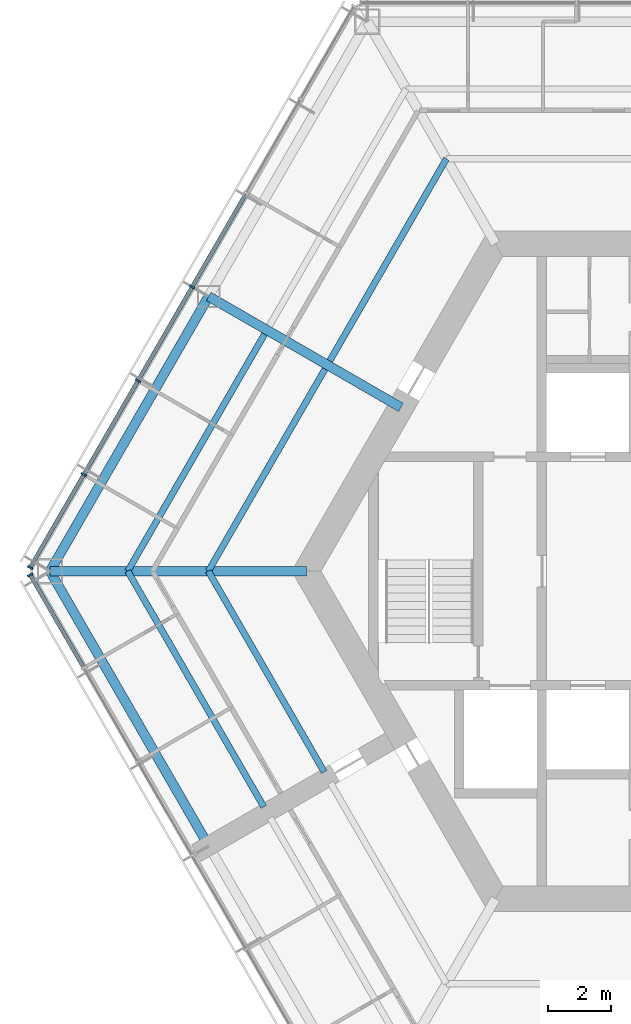
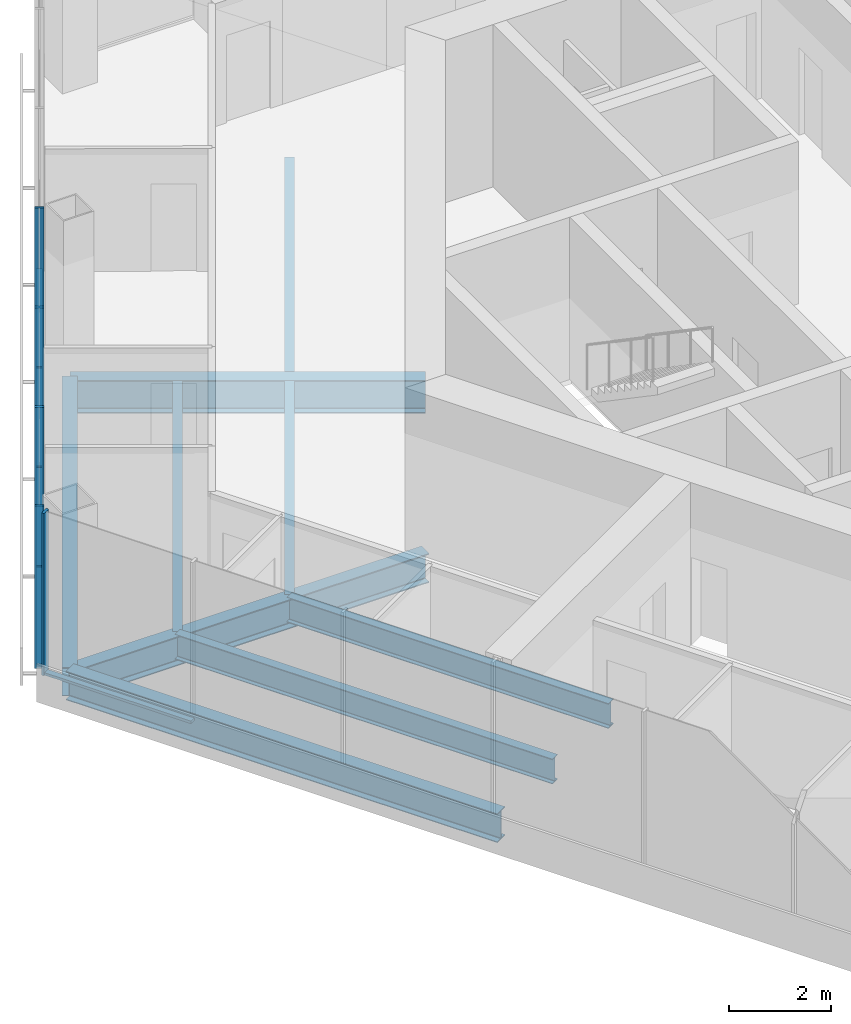
# One storey, part 3 of 13: 10 members, 9 beams, 2 elements without a shape of their own.
"""IFC4 building model written with IfcOpenShell, lengths in metres."""

import ifcopenshell
import ifcopenshell.guid

model = None  # the IFC model being written
_history = None  # IfcOwnerHistory: only IFC2X3 demands one
_inside = {}  # id of a spatial element -> (the spatial element, [elements in it])
_under = {}  # id of a project, library or spatial element -> (it, [spatial elements below it])
_declared = {}  # id of a project -> (the project, [libraries it declares])
_typed = {}  # id of a type object -> (the type object, [elements of that type])
_made_of = {}  # id of a material, layer set ... -> (it, [elements and type objects made of it])


def new_model(schema):
    """Start an empty IFC model of exactly this schema.

    Asked for "IFC4X3", IfcOpenShell would pick the latest addendum, in which some entities
    have other attributes; the version numbers below select the first issue.
    IFC2X3 requires an IfcOwnerHistory on every rooted entity: one is made here for all.
    """
    global model, _history
    if schema == "IFC4X3":
        model = ifcopenshell.file(schema_version=(4, 3, 0, 0))
    else:
        model = ifcopenshell.file(schema=schema)
    _inside.clear()
    _under.clear()
    _declared.clear()
    _typed.clear()
    _made_of.clear()
    _history = None
    if model.schema == "IFC2X3":
        org = make("IfcOrganization", Name="unknown")
        user = make(
            "IfcPersonAndOrganization",
            ThePerson=make("IfcPerson", FamilyName="unknown"),
            TheOrganization=org,
        )
        app = make(
            "IfcApplication",
            ApplicationDeveloper=org,
            Version="unknown",
            ApplicationFullName="unknown",
            ApplicationIdentifier="unknown",
        )
        _history = make(
            "IfcOwnerHistory",
            OwningUser=user,
            OwningApplication=app,
            ChangeAction="ADDED",
            CreationDate=0,
        )
    return model


def make(cls, **values):
    """One entity of the class cls with the attributes given. An attribute that is None is left unset."""
    return model.create_entity(
        cls, **{name: value for name, value in values.items() if value is not None}
    )


def rooted(cls, **values):
    """An entity with a GlobalId (a new one), such as an element, a storey or a relation."""
    return make(cls, GlobalId=ifcopenshell.guid.new(), OwnerHistory=_history, **values)


def si_unit(unit_type, name, prefix=None):
    """IfcSIUnit, for example si_unit("LENGTHUNIT", "METRE", prefix="MILLI")."""
    return make("IfcSIUnit", UnitType=unit_type, Prefix=prefix, Name=name)


def assignment(units):
    """IfcUnitAssignment: the units of a project."""
    return None if units is None else make("IfcUnitAssignment", Units=units)


def point(xyz):
    """IfcCartesianPoint."""
    return None if xyz is None else make("IfcCartesianPoint", Coordinates=xyz)


def direction(xyz):
    """IfcDirection."""
    return None if xyz is None else make("IfcDirection", DirectionRatios=xyz)


def frame(location, z_axis=None, x_axis=None):
    """IfcAxis2Placement3D, a coordinate frame: its origin and axes. An axis left out is left unset."""
    return make(
        "IfcAxis2Placement3D",
        Location=point(location),
        Axis=direction(z_axis),
        RefDirection=direction(x_axis),
    )


def frame_2d(location, x_axis=None):
    """IfcAxis2Placement2D, a coordinate frame in the plane: its origin and x axis."""
    return make(
        "IfcAxis2Placement2D", Location=point(location), RefDirection=direction(x_axis)
    )


def origin():
    """The frame at (0, 0, 0) with its axes left unset."""
    return frame((0.0, 0.0, 0.0))


def origin_2d():
    """The frame at (0, 0) in the plane with its x axis left unset."""
    return frame_2d((0.0, 0.0))


def place(relative_to, where):
    """IfcLocalPlacement: puts the frame where relative to a parent placement (None: the world)."""
    return make(
        "IfcLocalPlacement", PlacementRelTo=relative_to, RelativePlacement=where
    )


def context(
    kind, dimensions, precision=None, world=None, true_north=None, identifier=None
):
    """IfcGeometricRepresentationContext, for example the 3D "Model" context."""
    return make(
        "IfcGeometricRepresentationContext",
        ContextIdentifier=identifier,
        ContextType=kind,
        CoordinateSpaceDimension=dimensions,
        Precision=precision,
        WorldCoordinateSystem=world,
        TrueNorth=true_north,
    )


def subcontext(parent, identifier, kind, view, scale=None):
    """IfcGeometricRepresentationSubContext, for example "Body" below "Model"."""
    return make(
        "IfcGeometricRepresentationSubContext",
        ContextIdentifier=identifier,
        ContextType=kind,
        ParentContext=parent,
        TargetScale=scale,
        TargetView=view,
    )


def project(units=None, contexts=None):
    """IfcProject with its units and contexts."""
    return rooted(
        "IfcProject",
        Name="project",
        RepresentationContexts=contexts,
        UnitsInContext=assignment(units),
    )


def spatial(cls, under=None, at=None, **own):
    """A site, building, storey or space (cls), placed at a placement, below another one or the project."""
    s = rooted(cls, ObjectPlacement=at, **own)
    if under is not None:
        _under.setdefault(under.id(), (under, []))[1].append(s)
    return s


def profile(cls, at=None, kind="AREA", **sizes):
    """A parametric profile (cls). Its sizes go by their IFC names, for example OverallWidth=200.0."""
    return make(cls, ProfileType=kind, Position=at, **sizes)


def rectangle(**sizes):
    """IfcRectangleProfileDef."""
    return profile("IfcRectangleProfileDef", **sizes)


def i_section(**sizes):
    """IfcIShapeProfileDef."""
    return profile("IfcIShapeProfileDef", **sizes)


def extrude(swept, where, along, depth):
    """IfcExtrudedAreaSolid: the profile swept, set in the frame where, extruded along a direction by depth."""
    return make(
        "IfcExtrudedAreaSolid",
        SweptArea=swept,
        Position=where,
        ExtrudedDirection=direction(along),
        Depth=depth,
    )


def shape(context_of_items, identifier, shape_type, items):
    """IfcShapeRepresentation: the items that make up one representation, for example the "Body"."""
    return make(
        "IfcShapeRepresentation",
        ContextOfItems=context_of_items,
        RepresentationIdentifier=identifier,
        RepresentationType=shape_type,
        Items=items,
    )


def material(Name=None, Category=None):
    """IfcMaterial."""
    return make("IfcMaterial", Name=Name, Category=Category)


def material_profile(
    of_material, cross_section, Name=None, Category=None, Priority=None
):
    """IfcMaterialProfile: a cross section and its material."""
    return make(
        "IfcMaterialProfile",
        Name=Name,
        Material=of_material,
        Profile=cross_section,
        Priority=Priority,
        Category=Category,
    )


def profile_set(profiles, Name=None, composite=None):
    """IfcMaterialProfileSet."""
    return make(
        "IfcMaterialProfileSet",
        Name=Name,
        MaterialProfiles=profiles,
        CompositeProfile=composite,
    )


def made_of(thing, what):
    """Note that an element or type object is made of a material, layer set ...; save() writes the relation."""
    if what is not None:
        _made_of.setdefault(what.id(), (what, []))[1].append(thing)
    return thing


def type_object(cls, material=None, **own):
    """A type object (cls), such as IfcWallType, which elements share."""
    return made_of(rooted(cls, **own), material)


def element(
    cls,
    number,
    at=None,
    inside=None,
    cuts=None,
    type_object=None,
    material=None,
    context=None,
    identifier="Body",
    shape_type=None,
    held_by="IfcProductDefinitionShape",
    body=None,
    shapes=None,
    **own,
):
    """One element of the class cls, such as IfcWall. Its Tag is "e" and its number.

    at: its placement. inside: the storey or other place that contains it. cuts: it is an
    opening in that element (IfcRelVoidsElement). A single representation is given by context,
    identifier, shape_type and body (its items); several are given by shapes. held_by: the class
    of the entity that holds the representations. save() writes the other relations.
    """
    e = rooted(cls, Tag="e%d" % number, ObjectPlacement=at, **own)
    if body is not None:
        shapes = [shape(context, identifier, shape_type, body)]
    if shapes is not None:
        e.Representation = make(held_by, Representations=shapes)
    if inside is not None:
        _inside.setdefault(inside.id(), (inside, []))[1].append(e)
    if cuts is not None:
        rooted(
            "IfcRelVoidsElement", RelatingBuildingElement=cuts, RelatedOpeningElement=e
        )
    if type_object is not None:
        _typed.setdefault(type_object.id(), (type_object, []))[1].append(e)
    return made_of(e, material)


def aggregate(whole, parts):
    """IfcRelAggregates: a whole, such as a stair, and the parts it consists of."""
    return rooted("IfcRelAggregates", RelatingObject=whole, RelatedObjects=parts)


def save(model, path):
    """Write the relations noted so far, then the file.

    IfcRelAggregates (storeys below a building ...), IfcRelContainedInSpatialStructure (elements
    in a storey), IfcRelDefinesByType, IfcRelAssociatesMaterial and IfcRelDeclares: one each for
    every whole, place, type object, material and project.
    """
    for whole, parts in _under.values():
        aggregate(whole, parts)
    for where, things in _inside.values():
        rooted(
            "IfcRelContainedInSpatialStructure",
            RelatedElements=things,
            RelatingStructure=where,
        )
    for kind, things in _typed.values():
        rooted("IfcRelDefinesByType", RelatedObjects=things, RelatingType=kind)
    for what, things in _made_of.values():
        rooted("IfcRelAssociatesMaterial", RelatedObjects=things, RelatingMaterial=what)
    for by, libraries in _declared.values():
        rooted("IfcRelDeclares", RelatingContext=by, RelatedDefinitions=libraries)
    model.write(path)


model = new_model("IFC4")

# Units and contexts
model_context = context("Model", 3, precision=1e-05, world=origin(), true_north=direction((0.0, 1.0)))
body_context = subcontext(model_context, "Body", "Model", "MODEL_VIEW")
ifc_project = project(units=[si_unit("LENGTHUNIT", "METRE"), si_unit("AREAUNIT", "SQUARE_METRE"), si_unit("VOLUMEUNIT", "CUBIC_METRE"), si_unit("PLANEANGLEUNIT", "RADIAN"), si_unit("MASSUNIT", "GRAM", prefix="KILO")], contexts=[model_context])

# Site, building, storey
site_placement = place(None, origin())
site = spatial("IfcSite", under=ifc_project, at=site_placement, CompositionType="ELEMENT")
building_placement = place(site_placement, origin())
building = spatial("IfcBuilding", under=site, at=building_placement, Name="Kasaneha Research Tower", CompositionType="ELEMENT")
storey_placement = place(building_placement, frame((0.0, 0.0, 294.699951171875)))
storey = spatial("IfcBuildingStorey", under=building, at=storey_placement, Name="L74", CompositionType="ELEMENT", Elevation=294.699951171875)

# Beams
ifc_material_1 = material(Name="Steel SN490B", Category="steel")
ifc_material_profile_1 = material_profile(ifc_material_1, i_section(OverallWidth=0.199951171875, OverallDepth=0.60009765625, WebThickness=0.010986328125, FlangeThickness=0.01708984375, FilletRadius=0.012939453125, at=origin_2d()), Name="H-600x200x11x17")
ifc_profile_set_1 = profile_set([ifc_material_profile_1], Name="Steel SN490B")
beam_type_1 = type_object("IfcBeamType", Name="B1-3 secondary beam H-600x200x11x17", PredefinedType="JOIST", material=ifc_profile_set_1)
for number, where, z_axis, x_axis, name in (
    (1, (-7.505615234375, 13.0, -0.449951171875), (-0.499994443168, -0.866028611999, 0.0), (0.866028611999, -0.499994443168, 0.0), "Secondary beam RS150L1 L74"),
    (2, (-15.010986328125, 0.0, -0.449951171875), (0.499994443168, 0.866028611999, 0.0), (-0.866028611999, 0.499994443168, 0.0), "Secondary beam RS150R1 L74"),
):
    element("IfcBeam", number, at=place(storey_placement, frame(where, z_axis=z_axis, x_axis=x_axis)), inside=storey, type_object=beam_type_1, Name=name, PredefinedType="JOIST", context=body_context, shape_type="SweptSolid", body=[
        extrude(i_section(OverallWidth=0.199951171875, OverallDepth=0.60009765625, WebThickness=0.010986328125, FlangeThickness=0.01708984375, FilletRadius=0.012939453125, at=origin_2d()), origin(), (0.0, 0.0, 1.0), 7.35546875),
    ])
beam_1_placement = place(storey_placement, frame((-17.551513671875, 0.0, -0.449951171875), z_axis=(0.5000050195, 0.866022505755, 0.0), x_axis=(-0.866022505755, 0.5000050195, 0.0)))
element("IfcBeam", 3, at=beam_1_placement, inside=storey, type_object=beam_type_1, Name="Secondary beam RS150R2 L74", PredefinedType="JOIST", context=body_context, shape_type="SweptSolid", body=[
    extrude(i_section(OverallWidth=0.199951171875, OverallDepth=0.60009765625, WebThickness=0.010986328125, FlangeThickness=0.01708984375, FilletRadius=0.012939453125, at=origin_2d()), origin(), (0.0, 0.0, 1.0), 8.6259765625),
])
beam_2_placement = place(storey_placement, frame((-15.010986328125, 0.0, -0.449951171875), z_axis=(0.499974128195, -0.866040340363, 0.0), x_axis=(0.866040340363, 0.499974128195, 0.0)))
element("IfcBeam", 4, at=beam_2_placement, inside=storey, type_object=beam_type_1, Name="Secondary beam RS210L1 L74", PredefinedType="JOIST", context=body_context, shape_type="SweptSolid", body=[
    extrude(i_section(OverallWidth=0.199951171875, OverallDepth=0.60009765625, WebThickness=0.010986328125, FlangeThickness=0.01708984375, FilletRadius=0.012939453125, at=origin_2d()), origin(), (0.0, 0.0, 1.0), 7.3056640625),
])
beam_3_placement = place(storey_placement, frame((-17.551513671875, 0.0, -0.449951171875), z_axis=(0.500000102728, -0.866025344474, 0.0), x_axis=(0.866025344474, 0.500000102728, 0.0)))
element("IfcBeam", 5, at=beam_3_placement, inside=storey, type_object=beam_type_1, Name="Secondary beam RS210L2 L74", PredefinedType="JOIST", context=body_context, shape_type="SweptSolid", body=[
    extrude(i_section(OverallWidth=0.199951171875, OverallDepth=0.60009765625, WebThickness=0.010986328125, FlangeThickness=0.01708984375, FilletRadius=0.012939453125, at=origin_2d()), origin(), (0.0, 0.0, 1.0), 8.57568359375),
])

# Curtain wall, members
ifc_material_2 = material(Name="Glass and aluminium", Category="aluminium")
curtain_wall_type = type_object("IfcCurtainWallType", Name="Crown curtain wall", PredefinedType="USERDEFINED", material=ifc_material_2)
curtain_wall_1_placement = place(storey_placement, origin())
curtain_wall_1 = element("IfcCurtainWall", 6, at=curtain_wall_1_placement, inside=storey, type_object=curtain_wall_type, Name="CW-C L74 run 03a", ObjectType="UNITISED CURTAIN WALL", PredefinedType="USERDEFINED")
ifc_material_3 = material(Name="Aluminium 6063-T6", Category="aluminium")
ifc_material_profile_2 = material_profile(ifc_material_3, rectangle(XDim=0.06005859375, YDim=0.179931640625, at=origin_2d()), Name="CW-C mullion 60x180")
ifc_profile_set_2 = profile_set([ifc_material_profile_2], Name="Aluminium 6063-T6")
member_type_1 = type_object("IfcMemberType", Name="CW-C mullion", PredefinedType="MULLION", material=ifc_profile_set_2)
member_1_placement = place(storey_placement, frame((-15.51953125, 8.960205078125, 0.0), z_axis=(0.0, 0.0, 1.0), x_axis=(-0.499999995722, -0.866025406254, 0.0)))
member_1 = element("IfcMember", 7, at=member_1_placement, type_object=member_type_1, Name="CW-C mullion 4", PredefinedType="MULLION", context=body_context, shape_type="SweptSolid", body=[
    extrude(rectangle(XDim=0.06005859375, YDim=0.179931640625, at=origin_2d()), origin(), (0.0, 0.0, 1.0), 3.900146484375),
])
member_2_placement = place(storey_placement, frame((-17.227294921875, 6.00244140625, 0.0), z_axis=(0.0, 0.0, 1.0), x_axis=(-0.499999995722, -0.866025406254, 0.0)))
member_2 = element("IfcMember", 8, at=member_2_placement, type_object=member_type_1, Name="CW-C mullion 5", PredefinedType="MULLION", context=body_context, shape_type="SweptSolid", body=[
    extrude(rectangle(XDim=0.06005859375, YDim=0.179931640625, at=origin_2d()), origin(), (0.0, 0.0, 1.0), 3.900146484375),
])
member_3_placement = place(storey_placement, frame((-18.93505859375, 3.04443359375, 0.0), z_axis=(0.0, 0.0, 1.0), x_axis=(-0.499999995722, -0.866025406254, 0.0)))
member_3 = element("IfcMember", 9, at=member_3_placement, type_object=member_type_1, Name="CW-C mullion 6", PredefinedType="MULLION", context=body_context, shape_type="SweptSolid", body=[
    extrude(rectangle(XDim=0.06005859375, YDim=0.179931640625, at=origin_2d()), origin(), (0.0, 0.0, 1.0), 3.900146484375),
])
member_4_placement = place(storey_placement, frame((-20.6279296875, 0.112548828125, 0.0), z_axis=(0.0, 0.0, 1.0), x_axis=(-0.499999995722, -0.866025406254, 0.0)))
member_4 = element("IfcMember", 10, at=member_4_placement, type_object=member_type_1, Name="CW-C mullion 7", PredefinedType="MULLION", context=body_context, shape_type="SweptSolid", body=[
    extrude(rectangle(XDim=0.06005859375, YDim=0.179931640625, at=origin_2d()), origin(), (0.0, 0.0, 1.0), 3.900146484375),
])

# Curtain wall, member
curtain_wall_2_placement = place(storey_placement, origin())
curtain_wall_2 = element("IfcCurtainWall", 11, at=curtain_wall_2_placement, inside=storey, type_object=curtain_wall_type, Name="CW-C L74 run 04a", ObjectType="UNITISED CURTAIN WALL", PredefinedType="USERDEFINED")
member_5_placement = place(storey_placement, frame((-20.6279296875, -0.112548828125, 0.0), z_axis=(0.0, 0.0, 1.0), x_axis=(0.499999995722, -0.866025406254, 0.0)))
member_5 = element("IfcMember", 12, at=member_5_placement, type_object=member_type_1, Name="CW-C mullion 1", PredefinedType="MULLION", context=body_context, shape_type="SweptSolid", body=[
    extrude(rectangle(XDim=0.06005859375, YDim=0.179931640625, at=origin_2d()), origin(), (0.0, 0.0, 1.0), 3.900146484375),
])

# Member
ifc_material_4 = material(Name="Aluminium 6063-T6", Category="aluminium")
ifc_material_profile_3 = material_profile(ifc_material_4, rectangle(XDim=0.1298828125, YDim=0.06005859375, at=origin_2d()), Name="CW-C transom 130x60")
ifc_profile_set_3 = profile_set([ifc_material_profile_3], Name="Aluminium 6063-T6")
member_type_2 = type_object("IfcMemberType", Name="CW-C transom", PredefinedType="USERDEFINED", material=ifc_profile_set_3)
member_6_placement = place(storey_placement, frame((-13.826904296875, 11.89208984375, 0.030029296875), z_axis=(-0.500020578564, -0.866013522419, 0.0), x_axis=(0.866013522419, -0.500020578564, 0.0)))
member_6 = element("IfcMember", 13, at=member_6_placement, type_object=member_type_2, Name="CW-C transom 3", ObjectType="TRANSOM", PredefinedType="USERDEFINED", context=body_context, shape_type="SweptSolid", body=[
    extrude(rectangle(XDim=0.1298828125, YDim=0.06005859375, at=origin_2d()), origin(), (0.0, 0.0, 1.0), 3.355224609375),
])

member_7_placement = place(storey_placement, frame((-15.53466796875, 8.934326171875, 0.030029296875), z_axis=(-0.499989072476, -0.866031712701, 0.0), x_axis=(0.866031712701, -0.499989072476, 0.0)))
member_7 = element("IfcMember", 14, at=member_7_placement, type_object=member_type_2, Name="CW-C transom 4", ObjectType="TRANSOM", PredefinedType="USERDEFINED", context=body_context, shape_type="SweptSolid", body=[
    extrude(rectangle(XDim=0.1298828125, YDim=0.06005859375, at=origin_2d()), origin(), (0.0, 0.0, 1.0), 3.35546875),
])

member_8_placement = place(storey_placement, frame((-17.242431640625, 5.976318359375, 0.030029296875), z_axis=(-0.500020578564, -0.866013522419, 0.0), x_axis=(0.866013522419, -0.500020578564, 0.0)))
member_8 = element("IfcMember", 15, at=member_8_placement, type_object=member_type_2, Name="CW-C transom 5", ObjectType="TRANSOM", PredefinedType="USERDEFINED", context=body_context, shape_type="SweptSolid", body=[
    extrude(rectangle(XDim=0.1298828125, YDim=0.06005859375, at=origin_2d()), origin(), (0.0, 0.0, 1.0), 3.355224609375),
])

member_9_placement = place(storey_placement, frame((-18.9501953125, 3.0185546875, 0.030029296875), z_axis=(-0.49997666526, -0.866038875684, 0.0), x_axis=(0.866038875684, -0.49997666526, 0.0)))
member_9 = element("IfcMember", 16, at=member_9_placement, type_object=member_type_2, Name="CW-C transom 6", ObjectType="TRANSOM", PredefinedType="USERDEFINED", context=body_context, shape_type="SweptSolid", body=[
    extrude(rectangle(XDim=0.1298828125, YDim=0.06005859375, at=origin_2d()), origin(), (0.0, 0.0, 1.0), 3.325439453125),
])

aggregate(curtain_wall_1, [member_1, member_2, member_3, member_4, member_6, member_7, member_8, member_9])

member_10_placement = place(storey_placement, frame((-20.61279296875, -0.138671875, 0.030029296875), z_axis=(0.49997666526, -0.866038875684, 0.0), x_axis=(0.866038875684, 0.49997666526, 0.0)))
member_10 = element("IfcMember", 17, at=member_10_placement, type_object=member_type_2, Name="CW-C transom 1", ObjectType="TRANSOM", PredefinedType="USERDEFINED", context=body_context, shape_type="SweptSolid", body=[
    extrude(rectangle(XDim=0.1298828125, YDim=0.06005859375, at=origin_2d()), origin(), (0.0, 0.0, 1.0), 3.325439453125),
])

aggregate(curtain_wall_2, [member_5, member_10])

# Beams
ifc_material_5 = material(Name="Steel SN490B", Category="steel")
ifc_material_profile_4 = material_profile(ifc_material_5, i_section(OverallWidth=0.300048828125, OverallDepth=0.699951171875, WebThickness=0.012939453125, FlangeThickness=0.02392578125, FilletRadius=0.01806640625, at=origin_2d()), Name="H-700x300x13x24")
ifc_profile_set_4 = profile_set([ifc_material_profile_4], Name="Steel SN490B")
beam_type_2 = type_object("IfcBeamType", Name="G1-3 radial girder H-700x300x13x24", PredefinedType="BEAM", material=ifc_profile_set_4)
beam_4_placement = place(storey_placement, frame((-11.92236328125, 0.0, -0.5), z_axis=(-1.0, 0.0, 0.0), x_axis=(0.0, -1.0, 0.0)))
element("IfcBeam", 18, at=beam_4_placement, inside=storey, type_object=beam_type_2, Name="Radial girder RV180 L74", PredefinedType="BEAM", context=body_context, shape_type="SweptSolid", body=[
    extrude(i_section(OverallWidth=0.300048828125, OverallDepth=0.699951171875, WebThickness=0.012939453125, FlangeThickness=0.02392578125, FilletRadius=0.01806640625, at=origin_2d()), origin(), (0.0, 0.0, 1.0), 8.07763671875),
])
ifc_material_6 = material(Name="Steel SN490B", Category="steel")
ifc_material_profile_5 = material_profile(ifc_material_6, i_section(OverallWidth=0.300048828125, OverallDepth=0.800048828125, WebThickness=0.013916015625, FlangeThickness=0.02587890625, FilletRadius=0.01806640625, at=origin_2d()), Name="H-800x300x14x26")
ifc_profile_set_5 = profile_set([ifc_material_profile_5], Name="Steel SN490B")
beam_type_3 = type_object("IfcBeamType", Name="G2-3 radial girder H-800x300x14x26", PredefinedType="BEAM", material=ifc_profile_set_5)
beam_5_placement = place(storey_placement, frame((-8.941650390625, 5.16259765625, -0.550048828125), z_axis=(-0.866039713508, 0.499975214012, 0.0), x_axis=(-0.499975214012, -0.866039713508, 0.0)))
element("IfcBeam", 19, at=beam_5_placement, inside=storey, type_object=beam_type_3, Name="Radial girder RM150 L74", PredefinedType="BEAM", context=body_context, shape_type="SweptSolid", body=[
    extrude(i_section(OverallWidth=0.300048828125, OverallDepth=0.800048828125, WebThickness=0.013916015625, FlangeThickness=0.02587890625, FilletRadius=0.01806640625, at=origin_2d()), origin(), (0.0, 0.0, 1.0), 6.995361328125),
])
ifc_material_7 = material(Name="Steel SN490B", Category="steel")
ifc_material_profile_6 = material_profile(ifc_material_7, i_section(OverallWidth=0.300048828125, OverallDepth=0.69189453125, WebThickness=0.012939453125, FlangeThickness=0.02001953125, FilletRadius=0.01806640625, at=origin_2d()), Name="H-692x300x13x20")
ifc_profile_set_6 = profile_set([ifc_material_profile_6], Name="Steel SN490B")
beam_type_4 = type_object("IfcBeamType", Name="G3-3 plate edge girder H-692x300x13x20", PredefinedType="BEAM", material=ifc_profile_set_6)
beam_6_placement = place(storey_placement, frame((-20.0, 0.0, -0.495849609375), z_axis=(0.49999201416, -0.866030014362, 0.0), x_axis=(0.866030014362, 0.49999201416, 0.0)))
element("IfcBeam", 20, at=beam_6_placement, inside=storey, type_object=beam_type_4, Name="Plate edge girder PEBP L74", PredefinedType="BEAM", context=body_context, shape_type="SweptSolid", body=[
    extrude(i_section(OverallWidth=0.300048828125, OverallDepth=0.69189453125, WebThickness=0.012939453125, FlangeThickness=0.02001953125, FilletRadius=0.01806640625, at=origin_2d()), origin(), (0.0, 0.0, 1.0), 9.800048828125),
])
ifc_material_8 = material(Name="Steel SN490B", Category="steel")
ifc_material_profile_7 = material_profile(ifc_material_8, i_section(OverallWidth=0.300048828125, OverallDepth=0.69189453125, WebThickness=0.012939453125, FlangeThickness=0.02001953125, FilletRadius=0.01806640625, at=origin_2d()), Name="H-692x300x13x20")
ifc_profile_set_7 = profile_set([ifc_material_profile_7], Name="Steel SN490B")
beam_type_5 = type_object("IfcBeamType", Name="SB1-3 spandrel beam H-692x300x13x20", PredefinedType="SPANDREL", material=ifc_profile_set_7)
beam_7_placement = place(storey_placement, frame((-20.0, 0.0, -0.495849609375), z_axis=(0.500004234368, 0.866022959057, 0.0), x_axis=(-0.866022959057, 0.500004234368, 0.0)))
element("IfcBeam", 21, at=beam_7_placement, inside=storey, type_object=beam_type_5, Name="Spandrel beam SR150R L74", PredefinedType="SPANDREL", context=body_context, shape_type="SweptSolid", body=[
    extrude(i_section(OverallWidth=0.300048828125, OverallDepth=0.69189453125, WebThickness=0.012939453125, FlangeThickness=0.02001953125, FilletRadius=0.01806640625, at=origin_2d()), origin(), (0.0, 0.0, 1.0), 10.0),
])

save(model, "model.ifc")
